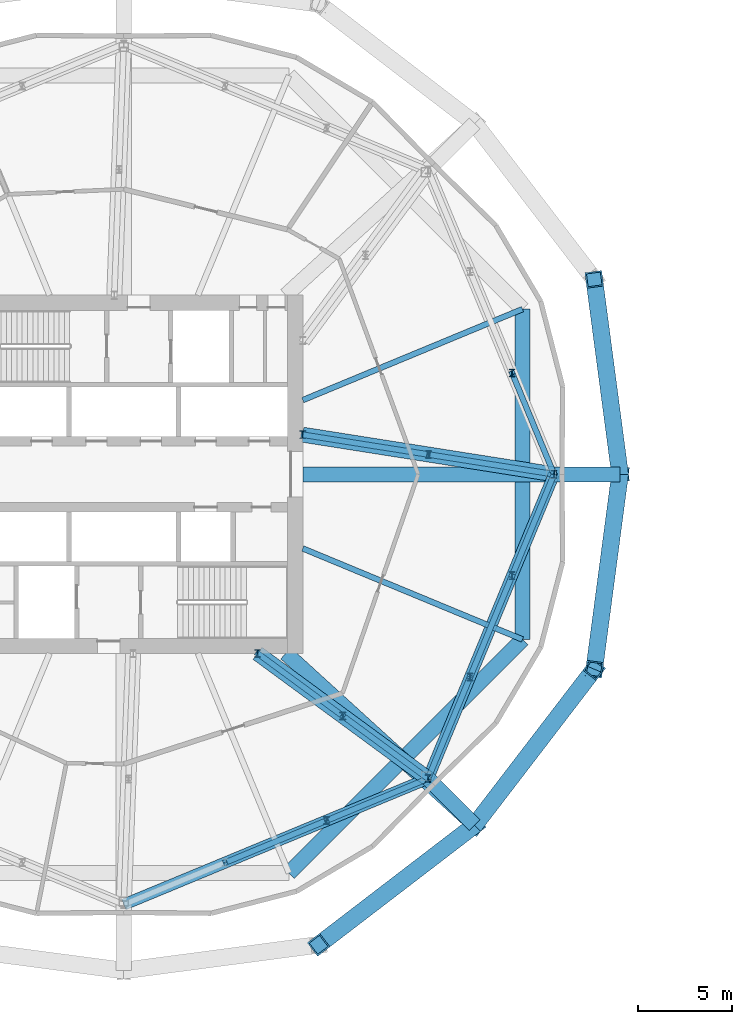
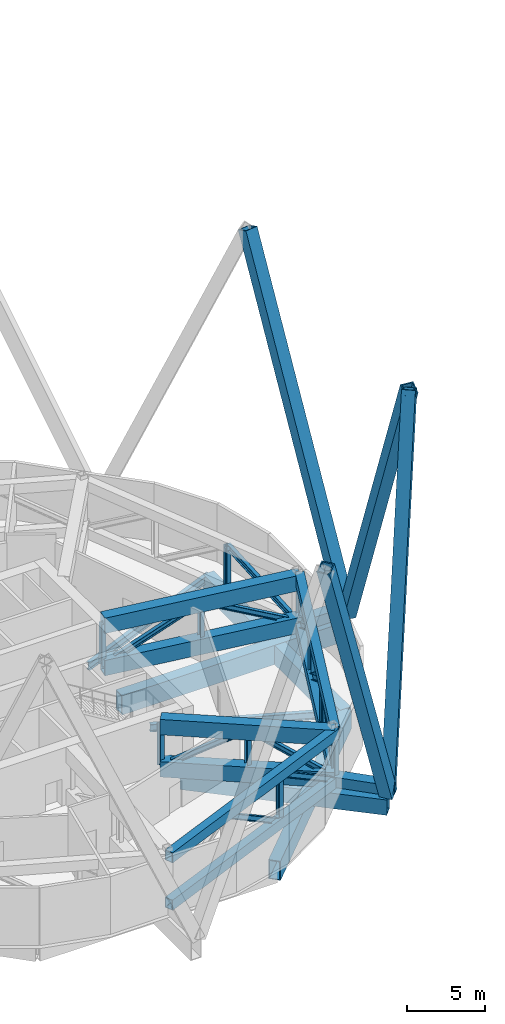
# One storey, part 5 of 21: 32 members, 8 beams.
"""IFC4 building model written with IfcOpenShell, lengths in metres."""

import ifcopenshell
import ifcopenshell.guid

model = None  # the IFC model being written
_history = None  # IfcOwnerHistory: only IFC2X3 demands one
_inside = {}  # id of a spatial element -> (the spatial element, [elements in it])
_under = {}  # id of a project, library or spatial element -> (it, [spatial elements below it])
_declared = {}  # id of a project -> (the project, [libraries it declares])
_typed = {}  # id of a type object -> (the type object, [elements of that type])
_made_of = {}  # id of a material, layer set ... -> (it, [elements and type objects made of it])


def new_model(schema):
    """Start an empty IFC model of exactly this schema.

    Asked for "IFC4X3", IfcOpenShell would pick the latest addendum, in which some entities
    have other attributes; the version numbers below select the first issue.
    IFC2X3 requires an IfcOwnerHistory on every rooted entity: one is made here for all.
    """
    global model, _history
    if schema == "IFC4X3":
        model = ifcopenshell.file(schema_version=(4, 3, 0, 0))
    else:
        model = ifcopenshell.file(schema=schema)
    _inside.clear()
    _under.clear()
    _declared.clear()
    _typed.clear()
    _made_of.clear()
    _history = None
    if model.schema == "IFC2X3":
        org = make("IfcOrganization", Name="unknown")
        user = make(
            "IfcPersonAndOrganization",
            ThePerson=make("IfcPerson", FamilyName="unknown"),
            TheOrganization=org,
        )
        app = make(
            "IfcApplication",
            ApplicationDeveloper=org,
            Version="unknown",
            ApplicationFullName="unknown",
            ApplicationIdentifier="unknown",
        )
        _history = make(
            "IfcOwnerHistory",
            OwningUser=user,
            OwningApplication=app,
            ChangeAction="ADDED",
            CreationDate=0,
        )
    return model


def make(cls, **values):
    """One entity of the class cls with the attributes given. An attribute that is None is left unset."""
    return model.create_entity(
        cls, **{name: value for name, value in values.items() if value is not None}
    )


def rooted(cls, **values):
    """An entity with a GlobalId (a new one), such as an element, a storey or a relation."""
    return make(cls, GlobalId=ifcopenshell.guid.new(), OwnerHistory=_history, **values)


def si_unit(unit_type, name, prefix=None):
    """IfcSIUnit, for example si_unit("LENGTHUNIT", "METRE", prefix="MILLI")."""
    return make("IfcSIUnit", UnitType=unit_type, Prefix=prefix, Name=name)


def assignment(units):
    """IfcUnitAssignment: the units of a project."""
    return None if units is None else make("IfcUnitAssignment", Units=units)


def point(xyz):
    """IfcCartesianPoint."""
    return None if xyz is None else make("IfcCartesianPoint", Coordinates=xyz)


def direction(xyz):
    """IfcDirection."""
    return None if xyz is None else make("IfcDirection", DirectionRatios=xyz)


def frame(location, z_axis=None, x_axis=None):
    """IfcAxis2Placement3D, a coordinate frame: its origin and axes. An axis left out is left unset."""
    return make(
        "IfcAxis2Placement3D",
        Location=point(location),
        Axis=direction(z_axis),
        RefDirection=direction(x_axis),
    )


def frame_2d(location, x_axis=None):
    """IfcAxis2Placement2D, a coordinate frame in the plane: its origin and x axis."""
    return make(
        "IfcAxis2Placement2D", Location=point(location), RefDirection=direction(x_axis)
    )


def origin():
    """The frame at (0, 0, 0) with its axes left unset."""
    return frame((0.0, 0.0, 0.0))


def origin_2d():
    """The frame at (0, 0) in the plane with its x axis left unset."""
    return frame_2d((0.0, 0.0))


def place(relative_to, where):
    """IfcLocalPlacement: puts the frame where relative to a parent placement (None: the world)."""
    return make(
        "IfcLocalPlacement", PlacementRelTo=relative_to, RelativePlacement=where
    )


def context(
    kind, dimensions, precision=None, world=None, true_north=None, identifier=None
):
    """IfcGeometricRepresentationContext, for example the 3D "Model" context."""
    return make(
        "IfcGeometricRepresentationContext",
        ContextIdentifier=identifier,
        ContextType=kind,
        CoordinateSpaceDimension=dimensions,
        Precision=precision,
        WorldCoordinateSystem=world,
        TrueNorth=true_north,
    )


def subcontext(parent, identifier, kind, view, scale=None):
    """IfcGeometricRepresentationSubContext, for example "Body" below "Model"."""
    return make(
        "IfcGeometricRepresentationSubContext",
        ContextIdentifier=identifier,
        ContextType=kind,
        ParentContext=parent,
        TargetScale=scale,
        TargetView=view,
    )


def project(units=None, contexts=None):
    """IfcProject with its units and contexts."""
    return rooted(
        "IfcProject",
        Name="project",
        RepresentationContexts=contexts,
        UnitsInContext=assignment(units),
    )


def spatial(cls, under=None, at=None, **own):
    """A site, building, storey or space (cls), placed at a placement, below another one or the project."""
    s = rooted(cls, ObjectPlacement=at, **own)
    if under is not None:
        _under.setdefault(under.id(), (under, []))[1].append(s)
    return s


def profile(cls, at=None, kind="AREA", **sizes):
    """A parametric profile (cls). Its sizes go by their IFC names, for example OverallWidth=200.0."""
    return make(cls, ProfileType=kind, Position=at, **sizes)


def hollow_rectangle(**sizes):
    """IfcRectangleHollowProfileDef."""
    return profile("IfcRectangleHollowProfileDef", **sizes)


def i_section(**sizes):
    """IfcIShapeProfileDef."""
    return profile("IfcIShapeProfileDef", **sizes)


def extrude(swept, where, along, depth):
    """IfcExtrudedAreaSolid: the profile swept, set in the frame where, extruded along a direction by depth."""
    return make(
        "IfcExtrudedAreaSolid",
        SweptArea=swept,
        Position=where,
        ExtrudedDirection=direction(along),
        Depth=depth,
    )


def shape(context_of_items, identifier, shape_type, items):
    """IfcShapeRepresentation: the items that make up one representation, for example the "Body"."""
    return make(
        "IfcShapeRepresentation",
        ContextOfItems=context_of_items,
        RepresentationIdentifier=identifier,
        RepresentationType=shape_type,
        Items=items,
    )


def material(Name=None, Category=None):
    """IfcMaterial."""
    return make("IfcMaterial", Name=Name, Category=Category)


def material_profile(
    of_material, cross_section, Name=None, Category=None, Priority=None
):
    """IfcMaterialProfile: a cross section and its material."""
    return make(
        "IfcMaterialProfile",
        Name=Name,
        Material=of_material,
        Profile=cross_section,
        Priority=Priority,
        Category=Category,
    )


def profile_set(profiles, Name=None, composite=None):
    """IfcMaterialProfileSet."""
    return make(
        "IfcMaterialProfileSet",
        Name=Name,
        MaterialProfiles=profiles,
        CompositeProfile=composite,
    )


def made_of(thing, what):
    """Note that an element or type object is made of a material, layer set ...; save() writes the relation."""
    if what is not None:
        _made_of.setdefault(what.id(), (what, []))[1].append(thing)
    return thing


def type_object(cls, material=None, **own):
    """A type object (cls), such as IfcWallType, which elements share."""
    return made_of(rooted(cls, **own), material)


def element(
    cls,
    number,
    at=None,
    inside=None,
    cuts=None,
    type_object=None,
    material=None,
    context=None,
    identifier="Body",
    shape_type=None,
    held_by="IfcProductDefinitionShape",
    body=None,
    shapes=None,
    **own,
):
    """One element of the class cls, such as IfcWall. Its Tag is "e" and its number.

    at: its placement. inside: the storey or other place that contains it. cuts: it is an
    opening in that element (IfcRelVoidsElement). A single representation is given by context,
    identifier, shape_type and body (its items); several are given by shapes. held_by: the class
    of the entity that holds the representations. save() writes the other relations.
    """
    e = rooted(cls, Tag="e%d" % number, ObjectPlacement=at, **own)
    if body is not None:
        shapes = [shape(context, identifier, shape_type, body)]
    if shapes is not None:
        e.Representation = make(held_by, Representations=shapes)
    if inside is not None:
        _inside.setdefault(inside.id(), (inside, []))[1].append(e)
    if cuts is not None:
        rooted(
            "IfcRelVoidsElement", RelatingBuildingElement=cuts, RelatedOpeningElement=e
        )
    if type_object is not None:
        _typed.setdefault(type_object.id(), (type_object, []))[1].append(e)
    return made_of(e, material)


def aggregate(whole, parts):
    """IfcRelAggregates: a whole, such as a stair, and the parts it consists of."""
    return rooted("IfcRelAggregates", RelatingObject=whole, RelatedObjects=parts)


def save(model, path):
    """Write the relations noted so far, then the file.

    IfcRelAggregates (storeys below a building ...), IfcRelContainedInSpatialStructure (elements
    in a storey), IfcRelDefinesByType, IfcRelAssociatesMaterial and IfcRelDeclares: one each for
    every whole, place, type object, material and project.
    """
    for whole, parts in _under.values():
        aggregate(whole, parts)
    for where, things in _inside.values():
        rooted(
            "IfcRelContainedInSpatialStructure",
            RelatedElements=things,
            RelatingStructure=where,
        )
    for kind, things in _typed.values():
        rooted("IfcRelDefinesByType", RelatedObjects=things, RelatingType=kind)
    for what, things in _made_of.values():
        rooted("IfcRelAssociatesMaterial", RelatedObjects=things, RelatingMaterial=what)
    for by, libraries in _declared.values():
        rooted("IfcRelDeclares", RelatingContext=by, RelatedDefinitions=libraries)
    model.write(path)


model = new_model("IFC4")

# Units and contexts
model_context = context("Model", 3, precision=1e-05, world=origin(), true_north=direction((0.0, 1.0)))
body_context = subcontext(model_context, "Body", "Model", "MODEL_VIEW")
ifc_project = project(units=[si_unit("LENGTHUNIT", "METRE"), si_unit("AREAUNIT", "SQUARE_METRE"), si_unit("VOLUMEUNIT", "CUBIC_METRE"), si_unit("PLANEANGLEUNIT", "RADIAN"), si_unit("MASSUNIT", "GRAM", prefix="KILO")], contexts=[model_context])

# Site, building, storey
site_placement = place(None, origin())
site = spatial("IfcSite", under=ifc_project, at=site_placement, CompositionType="ELEMENT")
building_placement = place(site_placement, origin())
building = spatial("IfcBuilding", under=site, at=building_placement, Name="Ogive Gate Towers", CompositionType="ELEMENT")
storey_placement = place(building_placement, frame((0.0, 0.0, 71.39990234375)))
storey = spatial("IfcBuildingStorey", under=building, at=storey_placement, Name="L16", CompositionType="ELEMENT", Elevation=71.39990234375)

# Members
ifc_material_1 = material(Name="Steel SM460", Category="steel")
ifc_material_profile_1 = material_profile(ifc_material_1, hollow_rectangle(XDim=0.89990234375, YDim=0.89990234375, WallThickness=0.080078125, at=origin_2d()), Name="BX 900x900x80")
ifc_profile_set_1 = profile_set([ifc_material_profile_1], Name="Steel SM460")
member_type_1 = type_object("IfcMemberType", Name="Diagrid diagonal BX 900x900x80", PredefinedType="BRACE", material=ifc_profile_set_1)
for number, where, z_axis, x_axis, name in (
    (1, (-9.669921875, 0.0, 0.0), (-0.05169225596, -0.391020203016, 0.918929328897), (0.991374679477, -0.131058173692, 0.0), "T1/L16/SDG001"),
    (2, (-9.669921875, 0.0, 0.0), (-0.05169225596, 0.391020203016, 0.918929328897), (-0.991374679477, -0.131058173692, 0.0), "T1/L16/SDG002"),
    (3, (-17.3818359375, -18.6181640625, 0.0), (-0.313043448302, -0.239941197331, 0.918929823925), (0.608337680052, -0.793678314576, 0.0), "T1/L16/SDG015"),
    (4, (-17.3818359375, -18.6181640625, 0.0), (0.239941197331, 0.313043448302, 0.918929823925), (-0.793678314576, 0.608337680052, 0.0), "T1/L16/SDG016"),
):
    element("IfcMember", number, at=place(storey_placement, frame(where, z_axis=z_axis, x_axis=x_axis)), inside=storey, type_object=member_type_1, Name=name, PredefinedType="BRACE", context=body_context, shape_type="SweptSolid", body=[
        extrude(hollow_rectangle(XDim=0.89990234375, YDim=0.89990234375, WallThickness=0.080078125, at=origin_2d()), origin(), (0.0, 0.0, 1.0), 26.44384765625),
    ])

# Beams
ifc_material_profile_2 = material_profile(ifc_material_1, hollow_rectangle(XDim=0.800048828125, YDim=1.5, WallThickness=0.06005859375, at=origin_2d()), Name="BX 1500x800x60")
ifc_profile_set_2 = profile_set([ifc_material_profile_2], Name="Steel SM460")
beam_type_1 = type_object("IfcBeamType", Name="Edge girder BX 1500x800x60", PredefinedType="BEAM", material=ifc_profile_set_2)
for number, where, z_axis, x_axis, name in (
    (5, (-27.236572265625, -21.15673828125, -1.0498046875), (0.707106781187, 0.707106781187, 0.0), (-0.707106781187, 0.707106781187, 0.0), "T1/L16/SBM019"),
    (6, (-14.84326171875, -8.763427734375, -1.0498046875), (0.0, 1.0, 0.0), (-1.0, 0.0, 0.0), "T1/L16/SBM020"),
):
    element("IfcBeam", number, at=place(storey_placement, frame(where, z_axis=z_axis, x_axis=x_axis)), inside=storey, type_object=beam_type_1, Name=name, PredefinedType="BEAM", context=body_context, shape_type="SweptSolid", body=[
        extrude(hollow_rectangle(XDim=0.800048828125, YDim=1.5, WallThickness=0.06005859375, at=origin_2d()), origin(), (0.0, 0.0, 1.0), 17.52685546875),
    ])
ifc_material_profile_3 = material_profile(ifc_material_1, hollow_rectangle(XDim=0.800048828125, YDim=0.800048828125, WallThickness=0.050048828125, at=origin_2d()), Name="BX 800x800x50")
ifc_profile_set_3 = profile_set([ifc_material_profile_3], Name="Steel SM460")
beam_type_2 = type_object("IfcBeamType", Name="Node arm BX 800x800x50", PredefinedType="BEAM", material=ifc_profile_set_3)
for number, where, z_axis, x_axis, name in (
    (7, (-13.169921875, 0.0, 0.4501953125), (1.0, 0.0, 0.0), (0.0, 1.0, 0.0), "T1/L16/SBM025"),
    (8, (-19.856689453125, -16.143310546875, 0.4501953125), (0.707106781187, -0.707106781187, 0.0), (0.707106781187, 0.707106781187, 0.0), "T1/L16/SBM032"),
):
    element("IfcBeam", number, at=place(storey_placement, frame(where, z_axis=z_axis, x_axis=x_axis)), inside=storey, type_object=beam_type_2, Name=name, PredefinedType="BEAM", context=body_context, shape_type="SweptSolid", body=[
        extrude(hollow_rectangle(XDim=0.800048828125, YDim=0.800048828125, WallThickness=0.050048828125, at=origin_2d()), origin(), (0.0, 0.0, 1.0), 3.5),
    ])
ifc_material_2 = material(Name="Steel SM355", Category="steel")
ifc_material_profile_4 = material_profile(ifc_material_2, i_section(OverallWidth=0.300048828125, OverallDepth=0.590087890625, WebThickness=0.012939453125, FlangeThickness=0.02490234375, FilletRadius=0.027099609375, at=origin_2d()), Name="HE 600 A")
ifc_profile_set_4 = profile_set([ifc_material_profile_4], Name="Steel SM355")
beam_type_3 = type_object("IfcBeamType", Name="Radial floor beam HE 600 A", PredefinedType="BEAM", material=ifc_profile_set_4)
for number, where, z_axis, x_axis, name in (
    (9, (-26.5, -3.93505859375, -0.594970703125), (0.923879811284, -0.382682759347, 0.0), (0.382682759347, 0.923879811284, 0.0), "T1/L16/SBM007"),
    (10, (-26.5, 3.93505859375, -0.594970703125), (0.923879811284, 0.382682759347, 0.0), (-0.382682759347, 0.923879811284, 0.0), "T1/L16/SBM009"),
):
    element("IfcBeam", number, at=place(storey_placement, frame(where, z_axis=z_axis, x_axis=x_axis)), inside=storey, type_object=beam_type_3, Name=name, PredefinedType="BEAM", context=body_context, shape_type="SweptSolid", body=[
        extrude(i_section(OverallWidth=0.300048828125, OverallDepth=0.590087890625, WebThickness=0.012939453125, FlangeThickness=0.02490234375, FilletRadius=0.027099609375, at=origin_2d()), origin(), (0.0, 0.0, 1.0), 12.6171875),
    ])
ifc_material_profile_5 = material_profile(ifc_material_1, hollow_rectangle(XDim=0.800048828125, YDim=1.199951171875, WallThickness=0.050048828125, at=origin_2d()), Name="BX 1200x800x50")
ifc_profile_set_5 = profile_set([ifc_material_profile_5], Name="Steel SM460")
beam_type_4 = type_object("IfcBeamType", Name="Transfer radial beam BX 1200x800x50", PredefinedType="BEAM", material=ifc_profile_set_5)
beam_1_placement = place(storey_placement, frame((-27.39990234375, -9.5, -0.89990234375), z_axis=(0.739541977393, -0.673110439433, 0.0), x_axis=(0.673110439433, 0.739541977393, 0.0)))
element("IfcBeam", 11, at=beam_1_placement, inside=storey, type_object=beam_type_4, Name="T1/L16/SBM006", PredefinedType="BEAM", context=body_context, shape_type="SweptSolid", body=[
    extrude(hollow_rectangle(XDim=0.800048828125, YDim=1.199951171875, WallThickness=0.050048828125, at=origin_2d()), origin(), (0.0, 0.0, 1.0), 13.54638671875),
])
ifc_material_profile_6 = material_profile(ifc_material_1, hollow_rectangle(XDim=0.800048828125, YDim=1.5, WallThickness=0.06005859375, at=origin_2d()), Name="BX 1500x800x60")
ifc_profile_set_6 = profile_set([ifc_material_profile_6], Name="Steel SM460")
beam_type_5 = type_object("IfcBeamType", Name="Transfer radial beam BX 1500x800x60", PredefinedType="BEAM", material=ifc_profile_set_6)
beam_2_placement = place(storey_placement, frame((-26.5, 0.0, -1.0498046875), z_axis=(1.0, 0.0, 0.0), x_axis=(0.0, 1.0, 0.0)))
element("IfcBeam", 12, at=beam_2_placement, inside=storey, type_object=beam_type_5, Name="T1/L16/SBM008", PredefinedType="BEAM", context=body_context, shape_type="SweptSolid", body=[
    extrude(hollow_rectangle(XDim=0.800048828125, YDim=1.5, WallThickness=0.06005859375, at=origin_2d()), origin(), (0.0, 0.0, 1.0), 16.830078125),
])

# Members
ifc_material_profile_7 = material_profile(ifc_material_1, hollow_rectangle(XDim=0.800048828125, YDim=1.199951171875, WallThickness=0.050048828125, at=origin_2d()), Name="BX 1200x800x50")
ifc_profile_set_7 = profile_set([ifc_material_profile_7], Name="Steel SM460")
member_type_2 = type_object("IfcMemberType", Name="Truss chord BX 1200x800x50", PredefinedType="CHORD", material=ifc_profile_set_7)
for number, where, z_axis, x_axis, name in (
    (13, (-26.5, 2.10009765625, 0.60009765625), (0.987816010154, -0.15562625127, 0.0), (0.15562625127, 0.987816010154, 0.0), "T1/L16/STR010"),
    (14, (-26.5, 2.10009765625, 3.900146484375), (0.987816010154, -0.15562625127, 0.0), (0.15562625127, 0.987816010154, 0.0), "T1/L16/STR011"),
):
    element("IfcMember", number, at=place(storey_placement, frame(where, z_axis=z_axis, x_axis=x_axis)), inside=storey, type_object=member_type_2, Name=name, PredefinedType="CHORD", context=body_context, shape_type="SweptSolid", body=[
        extrude(hollow_rectangle(XDim=0.800048828125, YDim=1.199951171875, WallThickness=0.050048828125, at=origin_2d()), origin(), (0.0, 0.0, 1.0), 13.494384765625),
    ])
for number, where, z_axis, x_axis, name in (
    (15, (-28.89990234375, -9.5, 0.60009765625), (0.805910837302, -0.592036926482, 0.0), (0.592036926482, 0.805910837302, 0.0), "T1/L16/STR107"),
    (16, (-28.89990234375, -9.5, 3.900146484375), (0.805910837302, -0.592036926482, 0.0), (0.592036926482, 0.805910837302, 0.0), "T1/L16/STR108"),
):
    element("IfcMember", number, at=place(storey_placement, frame(where, z_axis=z_axis, x_axis=x_axis)), inside=storey, type_object=member_type_2, Name=name, PredefinedType="CHORD", context=body_context, shape_type="SweptSolid", body=[
        extrude(hollow_rectangle(XDim=0.800048828125, YDim=1.199951171875, WallThickness=0.050048828125, at=origin_2d()), origin(), (0.0, 0.0, 1.0), 11.22119140625),
    ])
ifc_material_profile_8 = material_profile(ifc_material_1, hollow_rectangle(XDim=0.60009765625, YDim=0.800048828125, WallThickness=0.0400390625, at=origin_2d()), Name="BX 800x600x40")
ifc_profile_set_8 = profile_set([ifc_material_profile_8], Name="Steel SM460")
member_type_3 = type_object("IfcMemberType", Name="Truss chord BX 800x600x40", PredefinedType="CHORD", material=ifc_profile_set_8)
for number, where, z_axis, x_axis, name in (
    (17, (-36.0, -22.830078125, 0.400146484375), (0.923879746828, 0.382682914959, 0.0), (-0.382682914959, 0.923879746828, 0.0), "T1/L16/STR086"),
    (18, (-36.0, -22.830078125, 4.10009765625), (0.923879746828, 0.382682914959, 0.0), (-0.382682914959, 0.923879746828, 0.0), "T1/L16/STR087"),
    (19, (-19.856689453125, -16.143310546875, 0.400146484375), (0.382682914959, 0.923879746828, 0.0), (-0.923879746828, 0.382682914959, 0.0), "T1/L16/STR100"),
    (20, (-19.856689453125, -16.143310546875, 4.10009765625), (0.382682914959, 0.923879746828, 0.0), (-0.923879746828, 0.382682914959, 0.0), "T1/L16/STR101"),
):
    element("IfcMember", number, at=place(storey_placement, frame(where, z_axis=z_axis, x_axis=x_axis)), inside=storey, type_object=member_type_3, Name=name, PredefinedType="CHORD", context=body_context, shape_type="SweptSolid", body=[
        extrude(hollow_rectangle(XDim=0.60009765625, YDim=0.800048828125, WallThickness=0.0400390625, at=origin_2d()), origin(), (0.0, 0.0, 1.0), 17.473388671875),
    ])
ifc_material_profile_9 = material_profile(ifc_material_1, i_section(OverallWidth=0.300048828125, OverallDepth=0.39990234375, WebThickness=0.013427734375, FlangeThickness=0.02392578125, FilletRadius=0.027099609375, at=origin_2d()), Name="HE 400 B")
ifc_profile_set_9 = profile_set([ifc_material_profile_9], Name="Steel SM460")
member_type_4 = type_object("IfcMemberType", Name="Truss diagonal HE 400 B", PredefinedType="BRACE", material=ifc_profile_set_9)
member_1_placement = place(storey_placement, frame((-13.169921875, 0.0, 0.400146484375), z_axis=(-0.323029212472, 0.779834268576, 0.536200187844), x_axis=(-0.923874806885, -0.382694840836, 0.0)))
element("IfcMember", 21, at=member_1_placement, inside=storey, type_object=member_type_4, Name="T1/L16/STR003", PredefinedType="BRACE", context=body_context, shape_type="SweptSolid", body=[
    extrude(i_section(OverallWidth=0.300048828125, OverallDepth=0.39990234375, WebThickness=0.013427734375, FlangeThickness=0.02392578125, FilletRadius=0.027099609375, at=origin_2d()), origin(), (0.0, 0.0, 1.0), 6.900390625),
])
for number, where, z_axis, x_axis, name in (
    (22, (-26.5, 2.10009765625, 0.60009765625), (0.887366076711, -0.139800787397, 0.439359972854), (0.15562625127, 0.987816010154, 0.0), "T1/L16/STR012"),
    (23, (-19.8349609375, 1.050048828125, 3.900146484375), (0.887366076711, -0.139800787397, -0.439359972854), (0.15562625127, 0.987816010154, 0.0), "T1/L16/STR013"),
):
    element("IfcMember", number, at=place(storey_placement, frame(where, z_axis=z_axis, x_axis=x_axis)), inside=storey, type_object=member_type_4, Name=name, PredefinedType="BRACE", context=body_context, shape_type="SweptSolid", body=[
        extrude(i_section(OverallWidth=0.300048828125, OverallDepth=0.39990234375, WebThickness=0.013427734375, FlangeThickness=0.02392578125, FilletRadius=0.027099609375, at=origin_2d()), origin(), (0.0, 0.0, 1.0), 7.510986328125),
    ])
member_2_placement = place(storey_placement, frame((-30.618896484375, -20.60107421875, 4.10009765625), z_axis=(0.779834268576, 0.323029212472, -0.536200187844), x_axis=(-0.382694840836, 0.923874806885, 0.0)))
element("IfcMember", 24, at=member_2_placement, inside=storey, type_object=member_type_4, Name="T1/L16/STR089", PredefinedType="BRACE", context=body_context, shape_type="SweptSolid", body=[
    extrude(i_section(OverallWidth=0.300048828125, OverallDepth=0.39990234375, WebThickness=0.013427734375, FlangeThickness=0.02392578125, FilletRadius=0.027099609375, at=origin_2d()), origin(), (0.0, 0.0, 1.0), 6.900390625),
])
for number, where, z_axis, x_axis, name in (
    (25, (-25.23779296875, -18.3720703125, 4.10009765625), (0.779843181061, 0.322997522794, -0.53620631591), (-0.382659062633, 0.923889626408, 0.0), "T1/L16/STR090"),
    (26, (-19.856689453125, -16.143310546875, 0.400146484375), (0.322997522794, 0.779843181061, 0.53620631591), (-0.923889626408, 0.382659062633, 0.0), "T1/L16/STR102"),
):
    element("IfcMember", number, at=place(storey_placement, frame(where, z_axis=z_axis, x_axis=x_axis)), inside=storey, type_object=member_type_4, Name=name, PredefinedType="BRACE", context=body_context, shape_type="SweptSolid", body=[
        extrude(i_section(OverallWidth=0.300048828125, OverallDepth=0.39990234375, WebThickness=0.013427734375, FlangeThickness=0.02392578125, FilletRadius=0.027099609375, at=origin_2d()), origin(), (0.0, 0.0, 1.0), 6.900146484375),
    ])
for number, where, z_axis, x_axis, name in (
    (27, (-17.6279296875, -10.76220703125, 4.10009765625), (0.323029212472, 0.779834268576, -0.536200187844), (-0.923874806885, 0.382694840836, 0.0), "T1/L16/STR103"),
    (28, (-15.39892578125, -5.381103515625, 4.10009765625), (0.323029212472, 0.779834268576, -0.536200187844), (-0.923874806885, 0.382694840836, 0.0), "T1/L16/STR104"),
):
    element("IfcMember", number, at=place(storey_placement, frame(where, z_axis=z_axis, x_axis=x_axis)), inside=storey, type_object=member_type_4, Name=name, PredefinedType="BRACE", context=body_context, shape_type="SweptSolid", body=[
        extrude(i_section(OverallWidth=0.300048828125, OverallDepth=0.39990234375, WebThickness=0.013427734375, FlangeThickness=0.02392578125, FilletRadius=0.027099609375, at=origin_2d()), origin(), (0.0, 0.0, 1.0), 6.900390625),
    ])
member_3_placement = place(storey_placement, frame((-28.89990234375, -9.5, 0.60009765625), z_axis=(0.694654066067, -0.510300678663, 0.5069999466), x_axis=(0.592033176208, 0.805913592309, 0.0)))
element("IfcMember", 29, at=member_3_placement, inside=storey, type_object=member_type_4, Name="T1/L16/STR109", PredefinedType="BRACE", context=body_context, shape_type="SweptSolid", body=[
    extrude(i_section(OverallWidth=0.300048828125, OverallDepth=0.39990234375, WebThickness=0.013427734375, FlangeThickness=0.02392578125, FilletRadius=0.027099609375, at=origin_2d()), origin(), (0.0, 0.0, 1.0), 6.509033203125),
])
member_4_placement = place(storey_placement, frame((-24.37841796875, -12.821533203125, 3.900146484375), z_axis=(0.694660178377, -0.510315122671, -0.506977033158), x_axis=(0.592040676516, 0.805908082445, 0.0)))
element("IfcMember", 30, at=member_4_placement, inside=storey, type_object=member_type_4, Name="T1/L16/STR110", PredefinedType="BRACE", context=body_context, shape_type="SweptSolid", body=[
    extrude(i_section(OverallWidth=0.300048828125, OverallDepth=0.39990234375, WebThickness=0.013427734375, FlangeThickness=0.02392578125, FilletRadius=0.027099609375, at=origin_2d()), origin(), (0.0, 0.0, 1.0), 6.50927734375),
])
ifc_material_profile_10 = material_profile(ifc_material_1, i_section(OverallWidth=0.300048828125, OverallDepth=0.39990234375, WebThickness=0.013427734375, FlangeThickness=0.02392578125, FilletRadius=0.027099609375, at=origin_2d()), Name="HE 400 B")
ifc_profile_set_10 = profile_set([ifc_material_profile_10], Name="Steel SM460")
member_type_5 = type_object("IfcMemberType", Name="Truss post HE 400 B", PredefinedType="POST", material=ifc_profile_set_10)
for number, where, z_axis, x_axis, name in (
    (31, (-13.169921875, 0.0, 0.400146484375), (0.0, 0.0, 1.0), (1.0, 0.0, 0.0), "T1/L16/STR006"),
    (32, (-15.39892578125, 5.381103515625, 0.400146484375), (0.0, 0.0, 1.0), (1.0, 0.0, 0.0), "T1/L16/STR007"),
):
    element("IfcMember", number, at=place(storey_placement, frame(where, z_axis=z_axis, x_axis=x_axis)), inside=storey, type_object=member_type_5, Name=name, PredefinedType="POST", context=body_context, shape_type="SweptSolid", body=[
        extrude(i_section(OverallWidth=0.300048828125, OverallDepth=0.39990234375, WebThickness=0.013427734375, FlangeThickness=0.02392578125, FilletRadius=0.027099609375, at=origin_2d()), origin(), (0.0, 0.0, 1.0), 3.699951171875),
    ])
for number, where, z_axis, x_axis, name in (
    (33, (-26.5, 2.10009765625, 0.60009765625), (0.0, 0.0, 1.0), (1.0, 0.0, 0.0), "T1/L16/STR014"),
    (34, (-19.8349609375, 1.050048828125, 0.60009765625), (0.0, 0.0, 1.0), (1.0, 0.0, 0.0), "T1/L16/STR015"),
):
    element("IfcMember", number, at=place(storey_placement, frame(where, z_axis=z_axis, x_axis=x_axis)), inside=storey, type_object=member_type_5, Name=name, PredefinedType="POST", context=body_context, shape_type="SweptSolid", body=[
        extrude(i_section(OverallWidth=0.300048828125, OverallDepth=0.39990234375, WebThickness=0.013427734375, FlangeThickness=0.02392578125, FilletRadius=0.027099609375, at=origin_2d()), origin(), (0.0, 0.0, 1.0), 3.300048828125),
    ])
for number, where, z_axis, x_axis, name in (
    (35, (-25.23779296875, -18.3720703125, 0.400146484375), (0.0, 0.0, 1.0), (1.0, 0.0, 0.0), "T1/L16/STR092"),
    (36, (-19.856689453125, -16.143310546875, 0.400146484375), (0.0, 0.0, 1.0), (1.0, 0.0, 0.0), "T1/L16/STR093"),
    (37, (-17.6279296875, -10.76220703125, 0.400146484375), (0.0, 0.0, 1.0), (1.0, 0.0, 0.0), "T1/L16/STR105"),
    (38, (-15.39892578125, -5.381103515625, 0.400146484375), (0.0, 0.0, 1.0), (1.0, 0.0, 0.0), "T1/L16/STR106"),
):
    element("IfcMember", number, at=place(storey_placement, frame(where, z_axis=z_axis, x_axis=x_axis)), inside=storey, type_object=member_type_5, Name=name, PredefinedType="POST", context=body_context, shape_type="SweptSolid", body=[
        extrude(i_section(OverallWidth=0.300048828125, OverallDepth=0.39990234375, WebThickness=0.013427734375, FlangeThickness=0.02392578125, FilletRadius=0.027099609375, at=origin_2d()), origin(), (0.0, 0.0, 1.0), 3.699951171875),
    ])
for number, where, z_axis, x_axis, name in (
    (39, (-28.89990234375, -9.5, 0.60009765625), (0.0, 0.0, 1.0), (1.0, 0.0, 0.0), "T1/L16/STR111"),
    (40, (-24.37841796875, -12.821533203125, 0.60009765625), (0.0, 0.0, 1.0), (1.0, 0.0, 0.0), "T1/L16/STR112"),
):
    element("IfcMember", number, at=place(storey_placement, frame(where, z_axis=z_axis, x_axis=x_axis)), inside=storey, type_object=member_type_5, Name=name, PredefinedType="POST", context=body_context, shape_type="SweptSolid", body=[
        extrude(i_section(OverallWidth=0.300048828125, OverallDepth=0.39990234375, WebThickness=0.013427734375, FlangeThickness=0.02392578125, FilletRadius=0.027099609375, at=origin_2d()), origin(), (0.0, 0.0, 1.0), 3.300048828125),
    ])

save(model, "model.ifc")
